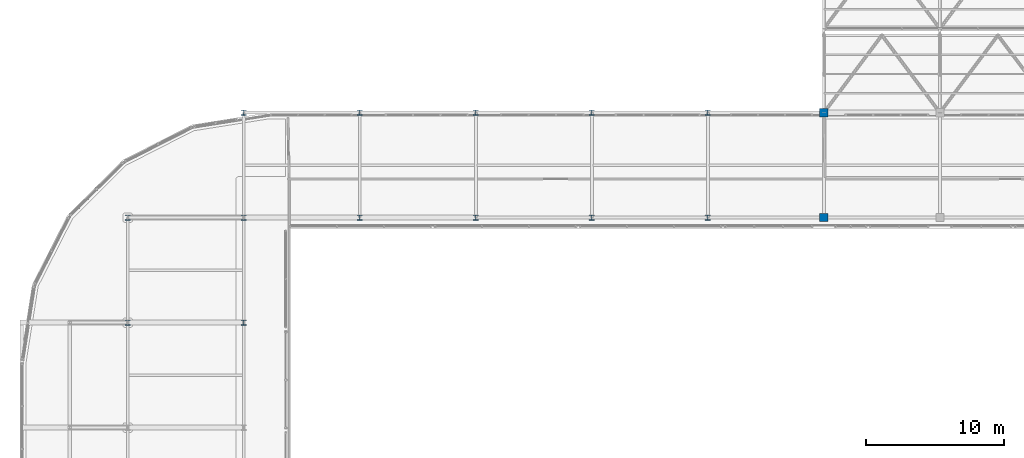
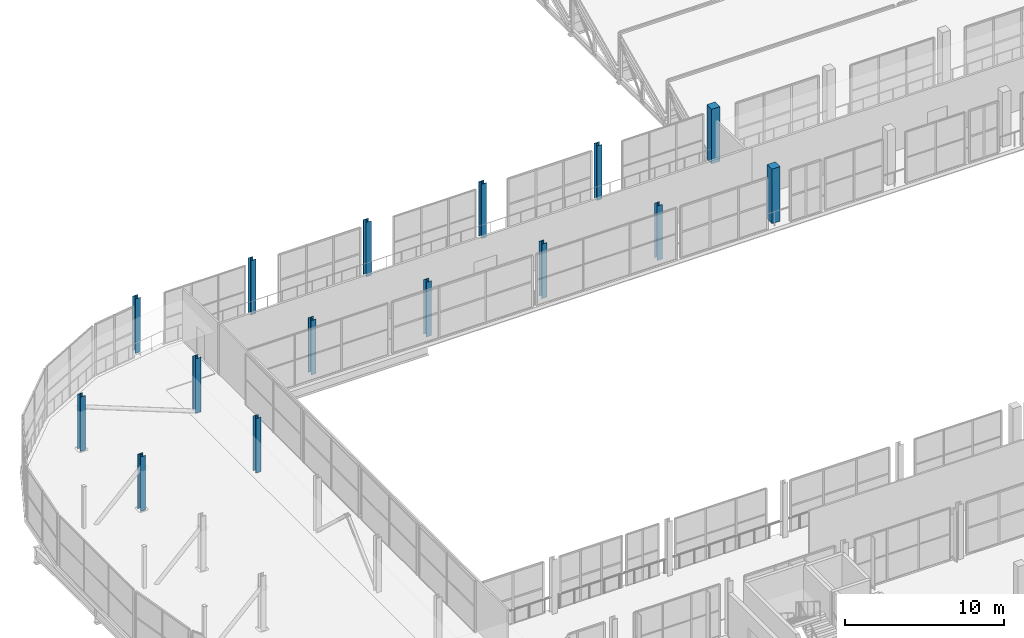
# One storey, part 8 of 217: 15 columns.
"""IFC4 building model written with IfcOpenShell, lengths in metres."""

from ifc_helpers import new_model, si_unit, direction, frame, origin, origin_2d, place, context, subcontext, project, spatial, rectangle, i_section, extrude, material, material_profile, profile_set, type_object, element, save


model = new_model("IFC4")

# Units and contexts
model_context = context("Model", 3, precision=1e-05, world=origin(), true_north=direction((0.0, 1.0)))
body_context = subcontext(model_context, "Body", "Model", "MODEL_VIEW")
ifc_project = project(units=[si_unit("LENGTHUNIT", "METRE"), si_unit("AREAUNIT", "SQUARE_METRE"), si_unit("VOLUMEUNIT", "CUBIC_METRE"), si_unit("PLANEANGLEUNIT", "RADIAN"), si_unit("MASSUNIT", "GRAM", prefix="KILO")], contexts=[model_context])

# Site, building, storey
site_placement = place(None, origin())
site = spatial("IfcSite", under=ifc_project, at=site_placement, CompositionType="ELEMENT")
building_placement = place(site_placement, origin())
building = spatial("IfcBuilding", under=site, at=building_placement, Name="Zuvorla Pavilion Media Centre", CompositionType="ELEMENT")
storey_placement = place(building_placement, frame((0.0, 0.0, 9.60009765625)))
storey = spatial("IfcBuildingStorey", under=building, at=storey_placement, Name="L02", CompositionType="ELEMENT", Elevation=9.60009765625)

# Columns
ifc_material_1 = material(Name="Concrete C40/50", Category="concrete")
ifc_material_profile_1 = material_profile(ifc_material_1, rectangle(XDim=0.60009765625, YDim=0.60009765625, at=origin_2d()), Name="RC 600x600")
ifc_profile_set_1 = profile_set([ifc_material_profile_1], Name="Concrete C40/50")
column_type_1 = type_object("IfcColumnType", Name="COL-RC600", PredefinedType="COLUMN", material=ifc_profile_set_1)
for number, where, z_axis, x_axis, name in (
    (1, (66.800048828125, 82.0, 0.0), (0.0, 0.0, 1.0), (1.0, 0.0, 0.0), "L02 column C03 775"),
    (2, (66.800048828125, 89.60009765625, 0.0), (0.0, 0.0, 1.0), (1.0, 0.0, 0.0), "L02 column C03 867"),
):
    element("IfcColumn", number, at=place(storey_placement, frame(where, z_axis=z_axis, x_axis=x_axis)), inside=storey, type_object=column_type_1, Name=name, PredefinedType="COLUMN", context=body_context, shape_type="SweptSolid", body=[
        extrude(rectangle(XDim=0.60009765625, YDim=0.60009765625, at=origin_2d()), origin(), (0.0, 0.0, 1.0), 4.199951171875),
    ])
ifc_material_2 = material(Name="Steel S355", Category="steel")
ifc_material_profile_2 = material_profile(ifc_material_2, i_section(OverallWidth=0.37255859375, OverallDepth=0.3681640625, WebThickness=0.014404296875, FlangeThickness=0.023681640625, FilletRadius=0.01513671875, at=origin_2d()), Name="UC 356x368x177")
ifc_profile_set_2 = profile_set([ifc_material_profile_2], Name="Steel S355")
column_type_2 = type_object("IfcColumnType", Name="COL-UC356", PredefinedType="COLUMN", material=ifc_profile_set_2)
for number, where, z_axis, x_axis, name in (
    (3, (16.39990234375, 74.39990234375, 0.0), (0.0, 0.0, 1.0), (1.0, 0.0, 0.0), "L02 column C09 721"),
    (4, (24.800048828125, 74.39990234375, 0.0), (0.0, 0.0, 1.0), (1.0, 0.0, 0.0), "L02 column C09 726"),
    (5, (16.39990234375, 82.0, 0.0), (0.0, 0.0, 1.0), (1.0, 0.0, 0.0), "L02 column C09 745"),
    (6, (24.800048828125, 82.0, 0.0), (0.0, 0.0, 1.0), (1.0, 0.0, 0.0), "L02 column C09 750"),
    (7, (33.199951171875, 82.0, 0.0), (0.0, 0.0, 1.0), (1.0, 0.0, 0.0), "L02 column C09 755"),
    (8, (41.60009765625, 82.0, 0.0), (0.0, 0.0, 1.0), (1.0, 0.0, 0.0), "L02 column C09 760"),
    (9, (50.0, 82.0, 0.0), (0.0, 0.0, 1.0), (1.0, 0.0, 0.0), "L02 column C09 765"),
    (10, (58.39990234375, 82.0, 0.0), (0.0, 0.0, 1.0), (1.0, 0.0, 0.0), "L02 column C09 770"),
    (11, (24.800048828125, 89.60009765625, 0.0), (0.0, 0.0, 1.0), (1.0, 0.0, 0.0), "L02 column C09 842"),
    (12, (33.199951171875, 89.60009765625, 0.0), (0.0, 0.0, 1.0), (1.0, 0.0, 0.0), "L02 column C09 847"),
    (13, (41.60009765625, 89.60009765625, 0.0), (0.0, 0.0, 1.0), (1.0, 0.0, 0.0), "L02 column C09 852"),
    (14, (50.0, 89.60009765625, 0.0), (0.0, 0.0, 1.0), (1.0, 0.0, 0.0), "L02 column C09 857"),
    (15, (58.39990234375, 89.60009765625, 0.0), (0.0, 0.0, 1.0), (1.0, 0.0, 0.0), "L02 column C09 862"),
):
    element("IfcColumn", number, at=place(storey_placement, frame(where, z_axis=z_axis, x_axis=x_axis)), inside=storey, type_object=column_type_2, Name=name, PredefinedType="COLUMN", context=body_context, shape_type="SweptSolid", body=[
        extrude(i_section(OverallWidth=0.37255859375, OverallDepth=0.3681640625, WebThickness=0.014404296875, FlangeThickness=0.023681640625, FilletRadius=0.01513671875, at=origin_2d()), origin(), (0.0, 0.0, 1.0), 4.199951171875),
    ])

save(model, "model.ifc")
